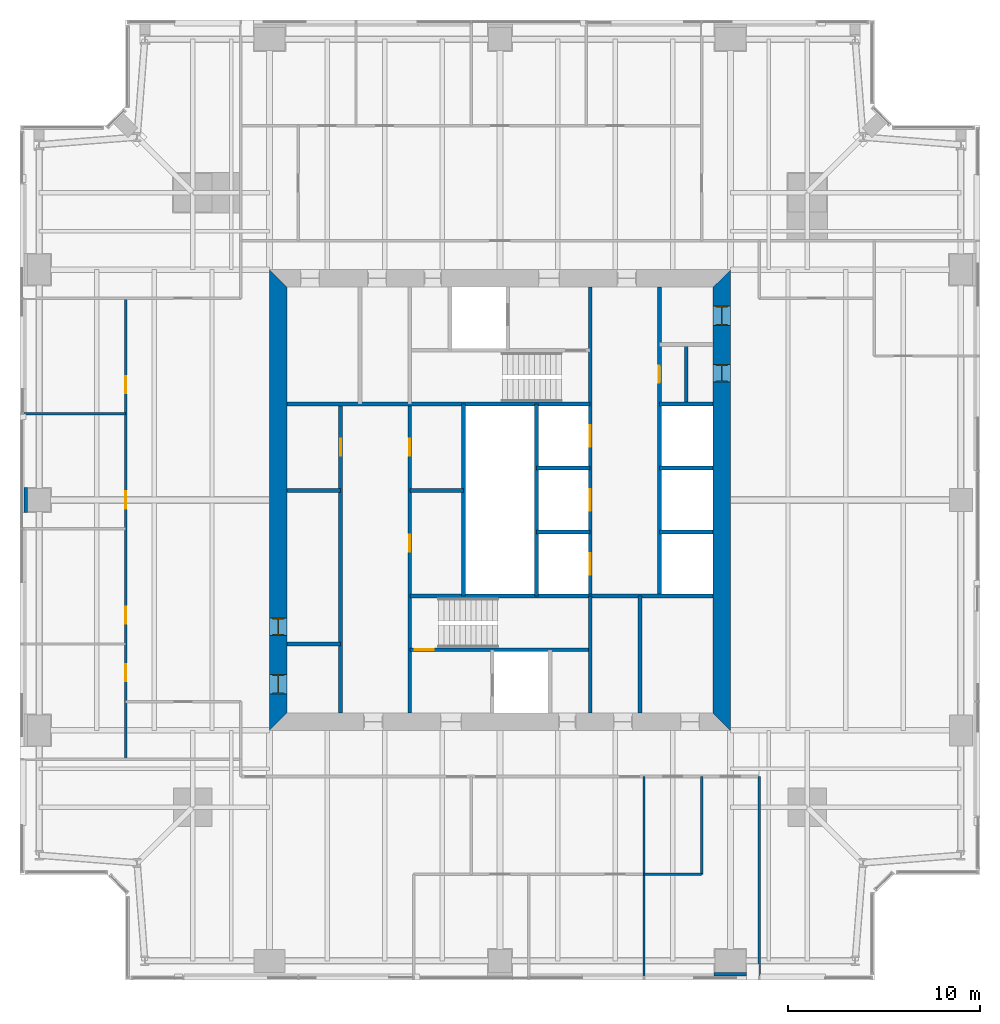
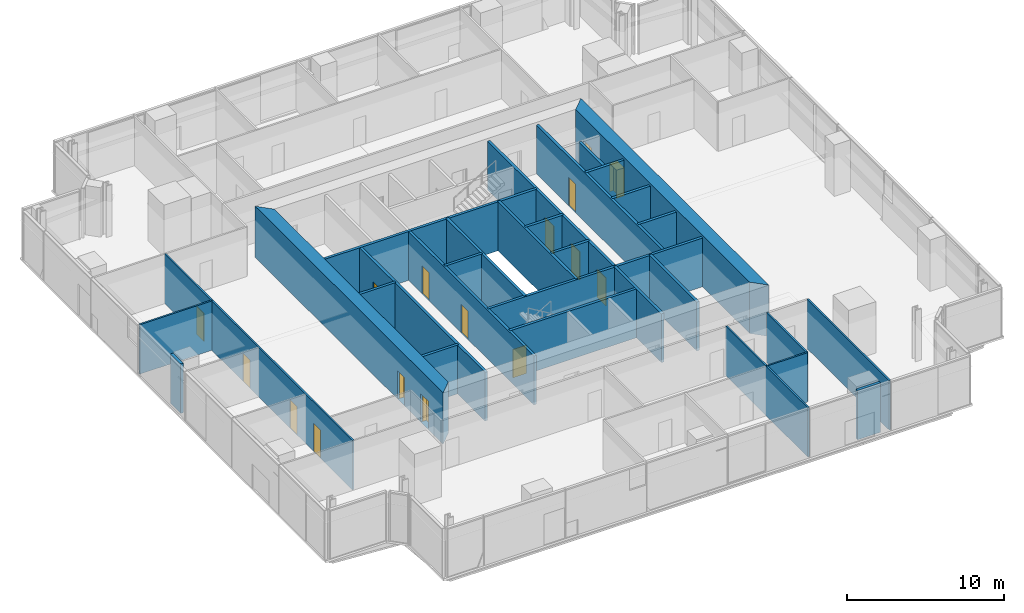
# One storey, part 10 of 14: 30 walls, 16 doors, 16 openings.
"""IFC4 building model written with IfcOpenShell, lengths in metres."""

from ifc_helpers import new_model, si_unit, direction, frame, frame_2d, origin, place, context, subcontext, project, spatial, polyline, rectangle, outline, extrude, material, layer, layer_set, type_object, element, fill, save


model = new_model("IFC4")

# Units and contexts
model_context = context("Model", 3, precision=1e-05, world=origin(), true_north=direction((0.0, 1.0)))
body_context = subcontext(model_context, "Body", "Model", "MODEL_VIEW")
ifc_project = project(units=[si_unit("LENGTHUNIT", "METRE"), si_unit("AREAUNIT", "SQUARE_METRE"), si_unit("VOLUMEUNIT", "CUBIC_METRE"), si_unit("PLANEANGLEUNIT", "RADIAN"), si_unit("MASSUNIT", "GRAM", prefix="KILO")], contexts=[model_context])

# Site, building, storey
site_placement = place(None, origin())
site = spatial("IfcSite", under=ifc_project, at=site_placement, CompositionType="ELEMENT")
building_placement = place(site_placement, origin())
building = spatial("IfcBuilding", under=site, at=building_placement, Name="Fenwick Lantern Interchange", CompositionType="ELEMENT")
storey_placement = place(building_placement, frame((0.0, 0.0, 193.800048828125)))
storey = spatial("IfcBuildingStorey", under=building, at=storey_placement, Name="L45", CompositionType="ELEMENT", Elevation=193.800048828125)

# Walls
ifc_material_1 = material(Name="Fire-rated gypsum board encasement on steel studs, 2 hour", Category="steel")
ifc_layer_1 = layer(ifc_material_1, 1.300048828125)
ifc_layer_set_1 = layer_set([ifc_layer_1], Name="COLUMN PIER 1300")
wall_type_1 = type_object("IfcWallType", Name="COLUMN PIER 1300", PredefinedType="PARTITIONING", material=ifc_layer_set_1)
wall_1_placement = place(storey_placement, frame((0.199951171875, 25.0, 0.0), z_axis=(0.0, 0.0, 1.0), x_axis=(1.0, 0.0, 0.0)))
element("IfcWall", 1, at=wall_1_placement, inside=storey, type_object=wall_type_1, Name="L45/W/PIER/CW3", PredefinedType="PARTITIONING", context=body_context, shape_type="SweptSolid", body=[
    extrude(rectangle(XDim=0.199951171875, YDim=1.300048828125, at=frame_2d((0.10009765625, 0.0))), origin(), (0.0, 0.0, 1.0), 3.849853515625),
])
ifc_layer_2 = layer(ifc_material_1, 1.699951171875)
ifc_layer_set_2 = layer_set([ifc_layer_2], Name="COLUMN PIER 1700")
wall_type_2 = type_object("IfcWallType", Name="COLUMN PIER 1700", PredefinedType="PARTITIONING", material=ifc_layer_set_2)
wall_2_placement = place(storey_placement, frame((37.0, 0.199951171875, 0.0), z_axis=(0.0, 0.0, 1.0), x_axis=(0.0, 1.0, 0.0)))
element("IfcWall", 2, at=wall_2_placement, inside=storey, type_object=wall_type_2, Name="L45/W/PIER/CS4", PredefinedType="PARTITIONING", context=body_context, shape_type="SweptSolid", body=[
    extrude(rectangle(XDim=0.199951171875, YDim=1.699951171875, at=frame_2d((0.10009765625, 0.0))), origin(), (0.0, 0.0, 1.0), 3.849853515625),
])

# Wall, opening, door
ifc_material_2 = material(Name="Concrete masonry ASTM C90 Grade N", Category="masonry")
ifc_layer_3 = layer(ifc_material_2, 0.199951171875)
ifc_layer_set_3 = layer_set([ifc_layer_3], Name="Concrete masonry ASTM C90 Grade N")
wall_type_3 = type_object("IfcWallType", Name="CORE PARTITION 200", PredefinedType="PARTITIONING", material=ifc_layer_set_3)
wall_3_placement = place(storey_placement, frame((16.699951171875, 13.89990234375, 0.0), z_axis=(0.0, 0.0, 1.0), x_axis=(0.0, 1.0, 0.0)))
wall_3 = element("IfcWall", 3, at=wall_3_placement, inside=storey, type_object=wall_type_3, Name="L45/W/CORES/a", PredefinedType="PARTITIONING", context=body_context, shape_type="SweptSolid", body=[
    extrude(rectangle(XDim=16.10009765625, YDim=0.199951171875, at=frame_2d((8.050048828125, 0.0))), origin(), (0.0, 0.0, 1.0), 3.800048828125),
])
opening_1_placement = place(wall_3_placement, frame((13.39990234375, 0.0, 0.0)))
opening_1 = element("IfcOpeningElement", 4, at=opening_1_placement, cuts=wall_3, Name="Opening L45-D009", PredefinedType="OPENING", context=body_context, shape_type="SweptSolid", body=[
    extrude(rectangle(XDim=0.89990234375, YDim=2.199951171875, at=frame_2d((0.449951171875, 1.10009765625))), frame((0.0, 0.10986328125, 0.0), z_axis=(0.0, -1.0, 0.0), x_axis=(1.0, 0.0, 0.0)), (0.0, 0.0, 1.0), 0.219970703125),
])
ifc_material_3 = material(Name="Steel door and frame", Category="steel")
door_type_1 = type_object("IfcDoorType", Name="SERVICE DOOR 900 X 2200", OperationType="SINGLE_SWING_LEFT", PredefinedType="DOOR", material=ifc_material_3)
door_1_placement = place(opening_1_placement, origin())
door_1 = element("IfcDoor", 5, at=door_1_placement, inside=storey, type_object=door_type_1, Name="Service door", OperationType="SINGLE_SWING_LEFT", OverallHeight=2.199951171875, OverallWidth=0.89990234375, PredefinedType="DOOR", context=body_context, shape_type="SweptSolid", body=[
    extrude(rectangle(XDim=0.89990234375, YDim=2.199951171875, at=frame_2d((0.449951171875, 1.10009765625))), frame((0.0, 0.02490234375, 0.0), z_axis=(0.0, -1.0, 0.0), x_axis=(1.0, 0.0, 0.0)), (0.0, 0.0, 1.0), 0.050048828125),
])
fill(opening_1, door_1)

# Walls
wall_4_placement = place(storey_placement, frame((23.10009765625, 20.0, 0.0), z_axis=(0.0, 0.0, 1.0), x_axis=(0.0, 1.0, 0.0)))
element("IfcWall", 6, at=wall_4_placement, inside=storey, type_object=wall_type_3, Name="L45/W/CORES/e3", PredefinedType="PARTITIONING", context=body_context, shape_type="SweptSolid", body=[
    extrude(rectangle(XDim=10.0, YDim=0.199951171875, at=frame_2d((5.0, 0.0))), origin(), (0.0, 0.0, 1.0), 3.800048828125),
])
wall_5_placement = place(storey_placement, frame((32.300048828125, 13.89990234375, 0.0), z_axis=(0.0, 0.0, 1.0), x_axis=(0.0, 1.0, 0.0)))
element("IfcWall", 7, at=wall_5_placement, inside=storey, type_object=wall_type_3, Name="L45/W/CORES/i2", PredefinedType="PARTITIONING", context=body_context, shape_type="SweptSolid", body=[
    extrude(rectangle(XDim=6.10009765625, YDim=0.199951171875, at=frame_2d((3.050048828125, 0.0))), origin(), (0.0, 0.0, 1.0), 3.800048828125),
])
for number, where, z_axis, x_axis, name in (
    (8, (13.89990234375, 17.5, 0.0), (0.0, 0.0, 1.0), (1.0, 0.0, 0.0), "L45/W/CORES/p1"),
    (9, (13.89990234375, 25.5, 0.0), (0.0, 0.0, 1.0), (1.0, 0.0, 0.0), "L45/W/CORES/p2"),
    (10, (20.300048828125, 25.5, 0.0), (0.0, 0.0, 1.0), (1.0, 0.0, 0.0), "L45/W/CORES/q1"),
):
    element("IfcWall", number, at=place(storey_placement, frame(where, z_axis=z_axis, x_axis=x_axis)), inside=storey, type_object=wall_type_3, Name=name, PredefinedType="PARTITIONING", context=body_context, shape_type="SweptSolid", body=[
        extrude(rectangle(XDim=2.800048828125, YDim=0.199951171875, at=frame_2d((1.39990234375, 0.0))), origin(), (0.0, 0.0, 1.0), 3.800048828125),
    ])

# Wall, opening, door
wall_6_placement = place(storey_placement, frame((33.300048828125, 36.10009765625, 0.0), z_axis=(0.0, 0.0, 1.0), x_axis=(0.0, -1.0, 0.0)))
wall_6 = element("IfcWall", 11, at=wall_6_placement, inside=storey, type_object=wall_type_3, Name="L45/W/COREN/a", PredefinedType="PARTITIONING", context=body_context, shape_type="SweptSolid", body=[
    extrude(rectangle(XDim=16.10009765625, YDim=0.199951171875, at=frame_2d((8.050048828125, 0.0))), origin(), (0.0, 0.0, 1.0), 3.800048828125),
])
opening_2_placement = place(wall_6_placement, frame((4.10009765625, 0.0, 0.0)))
opening_2 = element("IfcOpeningElement", 12, at=opening_2_placement, cuts=wall_6, Name="Opening L45-D019", PredefinedType="OPENING", context=body_context, shape_type="SweptSolid", body=[
    extrude(rectangle(XDim=0.89990234375, YDim=2.199951171875, at=frame_2d((0.449951171875, 1.10009765625))), frame((0.0, 0.10986328125, 0.0), z_axis=(0.0, -1.0, 0.0), x_axis=(1.0, 0.0, 0.0)), (0.0, 0.0, 1.0), 0.219970703125),
])
door_2_placement = place(opening_2_placement, origin())
door_2 = element("IfcDoor", 13, at=door_2_placement, inside=storey, type_object=door_type_1, Name="Service door", OperationType="SINGLE_SWING_LEFT", OverallHeight=2.199951171875, OverallWidth=0.89990234375, PredefinedType="DOOR", context=body_context, shape_type="SweptSolid", body=[
    extrude(rectangle(XDim=0.89990234375, YDim=2.199951171875, at=frame_2d((0.449951171875, 1.10009765625))), frame((0.0, 0.02490234375, 0.0), z_axis=(0.0, -1.0, 0.0), x_axis=(1.0, 0.0, 0.0)), (0.0, 0.0, 1.0), 0.050048828125),
])
fill(opening_2, door_2)

# Walls
for number, where, z_axis, x_axis, name in (
    (14, (36.10009765625, 30.0, 0.0), (0.0, 0.0, 1.0), (-1.0, 0.0, 0.0), "L45/W/COREN/c2"),
    (15, (36.10009765625, 26.666748046875, 0.0), (0.0, 0.0, 1.0), (-1.0, 0.0, 0.0), "L45/W/COREN/d1"),
    (16, (36.10009765625, 23.333251953125, 0.0), (0.0, 0.0, 1.0), (-1.0, 0.0, 0.0), "L45/W/COREN/d2"),
    (17, (29.699951171875, 26.666748046875, 0.0), (0.0, 0.0, 1.0), (-1.0, 0.0, 0.0), "L45/W/COREN/e1"),
    (18, (29.699951171875, 23.333251953125, 0.0), (0.0, 0.0, 1.0), (-1.0, 0.0, 0.0), "L45/W/COREN/e2"),
):
    element("IfcWall", number, at=place(storey_placement, frame(where, z_axis=z_axis, x_axis=x_axis)), inside=storey, type_object=wall_type_3, Name=name, PredefinedType="PARTITIONING", context=body_context, shape_type="SweptSolid", body=[
        extrude(rectangle(XDim=2.800048828125, YDim=0.199951171875, at=frame_2d((1.39990234375, 0.0))), origin(), (0.0, 0.0, 1.0), 3.800048828125),
    ])
wall_7_placement = place(storey_placement, frame((26.89990234375, 30.0, 0.0), z_axis=(0.0, 0.0, 1.0), x_axis=(0.0, -1.0, 0.0)))
element("IfcWall", 19, at=wall_7_placement, inside=storey, type_object=wall_type_3, Name="L45/W/COREN/e3", PredefinedType="PARTITIONING", context=body_context, shape_type="SweptSolid", body=[
    extrude(rectangle(XDim=10.0, YDim=0.199951171875, at=frame_2d((5.0, 0.0))), origin(), (0.0, 0.0, 1.0), 3.800048828125),
])
wall_8_placement = place(storey_placement, frame((34.699951171875, 33.10009765625, 0.0), z_axis=(0.0, 0.0, 1.0), x_axis=(0.0, -1.0, 0.0)))
element("IfcWall", 20, at=wall_8_placement, inside=storey, type_object=wall_type_3, Name="L45/W/COREN/px", PredefinedType="PARTITIONING", context=body_context, shape_type="SweptSolid", body=[
    extrude(rectangle(XDim=3.10009765625, YDim=0.199951171875, at=frame_2d((1.550048828125, 0.0))), origin(), (0.0, 0.0, 1.0), 3.800048828125),
])

# Wall, openings, doors
ifc_material_4 = material(Name="Concrete f'c 70 MPa", Category="concrete")
ifc_layer_4 = layer(ifc_material_4, 0.89990234375)
ifc_layer_set_4 = layer_set([ifc_layer_4], Name="CORE WALL 900")
wall_type_4 = type_object("IfcWallType", Name="CORE WALL 900", PredefinedType="SHEAR", material=ifc_layer_set_4)
wall_9_placement = place(storey_placement, frame((36.550048828125, 13.89990234375, 0.0), z_axis=(0.0, 0.0, 1.0), x_axis=(0.0, 1.0, 0.0)))
wall_9 = element("IfcWall", 21, at=wall_9_placement, inside=storey, type_object=wall_type_4, Name="L45/CORE/E", PredefinedType="SHEAR", context=body_context, shape_type="SweptSolid", body=[
    extrude(outline(polyline([(-0.89990234375, -0.449951171875), (23.10009765625, -0.449951171875), (22.199951171875, 0.449951171875), (0.0, 0.449951171875), (-0.89990234375, -0.449951171875)])), origin(), (0.0, 0.0, 1.0), 4.0),
])
opening_3_placement = place(wall_9_placement, frame((20.199951171875, 0.0, 0.0)))
opening_3 = element("IfcOpeningElement", 22, at=opening_3_placement, cuts=wall_9, Name="Opening L45-D018", PredefinedType="OPENING", context=body_context, shape_type="SweptSolid", body=[
    extrude(rectangle(XDim=1.0, YDim=2.199951171875, at=frame_2d((0.5, 1.10009765625))), frame((0.0, 0.4599609375, 0.0), z_axis=(0.0, -1.0, 0.0), x_axis=(1.0, 0.0, 0.0)), (0.0, 0.0, 1.0), 0.919921875),
])
opening_4_placement = place(wall_9_placement, frame((17.25, 0.0, 0.0)))
opening_4 = element("IfcOpeningElement", 23, at=opening_4_placement, cuts=wall_9, Name="Opening L45-D020", PredefinedType="OPENING", context=body_context, shape_type="SweptSolid", body=[
    extrude(rectangle(XDim=0.89990234375, YDim=2.199951171875, at=frame_2d((0.449951171875, 1.10009765625))), frame((0.0, 0.4599609375, 0.0), z_axis=(0.0, -1.0, 0.0), x_axis=(1.0, 0.0, 0.0)), (0.0, 0.0, 1.0), 0.919921875),
])
door_3_placement = place(opening_4_placement, origin())
door_3 = element("IfcDoor", 24, at=door_3_placement, inside=storey, type_object=door_type_1, Name="Service door", OperationType="SINGLE_SWING_RIGHT", OverallHeight=2.199951171875, OverallWidth=0.89990234375, PredefinedType="DOOR", context=body_context, shape_type="SweptSolid", body=[
    extrude(rectangle(XDim=0.89990234375, YDim=2.199951171875, at=frame_2d((0.449951171875, 1.10009765625))), frame((0.0, 0.02490234375, 0.0), z_axis=(0.0, -1.0, 0.0), x_axis=(1.0, 0.0, 0.0)), (0.0, 0.0, 1.0), 0.050048828125),
    extrude(outline(polyline([(0.0, 0.0), (0.0400390625, 0.0), (0.0400390625, 2.159912109375), (0.85986328125, 2.159912109375), (0.85986328125, 0.0), (0.89990234375, 0.0), (0.89990234375, 2.199951171875), (0.0, 2.199951171875), (0.0, 0.0)])), frame((0.0, 0.300048828125, 0.0), z_axis=(0.0, -1.0, 0.0), x_axis=(1.0, 0.0, 0.0)), (0.0, 0.0, 1.0), 0.60009765625),
])
fill(opening_4, door_3)
ifc_material_5 = material(Name="Hardwood door and steel frame", Category="steel")
door_type_2 = type_object("IfcDoorType", Name="WC DOOR 1000 X 2200", OperationType="SINGLE_SWING_LEFT", PredefinedType="DOOR", material=ifc_material_5)
door_4_placement = place(opening_3_placement, origin())
door_4 = element("IfcDoor", 25, at=door_4_placement, inside=storey, type_object=door_type_2, Name="Wc door", OperationType="SINGLE_SWING_LEFT", OverallHeight=2.199951171875, OverallWidth=1.0, PredefinedType="DOOR", context=body_context, shape_type="SweptSolid", body=[
    extrude(rectangle(XDim=1.0, YDim=2.199951171875, at=frame_2d((0.5, 1.10009765625))), frame((0.0, 0.02490234375, 0.0), z_axis=(0.0, -1.0, 0.0), x_axis=(1.0, 0.0, 0.0)), (0.0, 0.0, 1.0), 0.050048828125),
    extrude(outline(polyline([(0.0, 0.0), (0.0400390625, 0.0), (0.0400390625, 2.159912109375), (0.9599609375, 2.159912109375), (0.9599609375, 0.0), (1.0, 0.0), (1.0, 2.199951171875), (0.0, 2.199951171875), (0.0, 0.0)])), frame((0.0, 0.300048828125, 0.0), z_axis=(0.0, -1.0, 0.0), x_axis=(1.0, 0.0, 0.0)), (0.0, 0.0, 1.0), 0.60009765625),
])
fill(opening_3, door_4)

wall_10_placement = place(storey_placement, frame((13.449951171875, 36.10009765625, 0.0), z_axis=(0.0, 0.0, 1.0), x_axis=(0.0, -1.0, 0.0)))
wall_10 = element("IfcWall", 26, at=wall_10_placement, inside=storey, type_object=wall_type_4, Name="L45/CORE/W", PredefinedType="SHEAR", context=body_context, shape_type="SweptSolid", body=[
    extrude(outline(polyline([(-0.89990234375, -0.449951171875), (23.10009765625, -0.449951171875), (22.199951171875, 0.449951171875), (0.0, 0.449951171875), (-0.89990234375, -0.449951171875)])), origin(), (0.0, 0.0, 1.0), 4.0),
])
opening_5_placement = place(wall_10_placement, frame((20.199951171875, 0.0, 0.0)))
opening_5 = element("IfcOpeningElement", 27, at=opening_5_placement, cuts=wall_10, Name="Opening L45-D007", PredefinedType="OPENING", context=body_context, shape_type="SweptSolid", body=[
    extrude(rectangle(XDim=1.0, YDim=2.199951171875, at=frame_2d((0.5, 1.10009765625))), frame((0.0, 0.4599609375, 0.0), z_axis=(0.0, -1.0, 0.0), x_axis=(1.0, 0.0, 0.0)), (0.0, 0.0, 1.0), 0.919921875),
])
opening_6_placement = place(wall_10_placement, frame((17.25, 0.0, 0.0)))
opening_6 = element("IfcOpeningElement", 28, at=opening_6_placement, cuts=wall_10, Name="Opening L45-D008", PredefinedType="OPENING", context=body_context, shape_type="SweptSolid", body=[
    extrude(rectangle(XDim=0.89990234375, YDim=2.199951171875, at=frame_2d((0.449951171875, 1.10009765625))), frame((0.0, 0.4599609375, 0.0), z_axis=(0.0, -1.0, 0.0), x_axis=(1.0, 0.0, 0.0)), (0.0, 0.0, 1.0), 0.919921875),
])
door_5_placement = place(opening_6_placement, origin())
door_5 = element("IfcDoor", 29, at=door_5_placement, inside=storey, type_object=door_type_1, Name="Service door", OperationType="SINGLE_SWING_RIGHT", OverallHeight=2.199951171875, OverallWidth=0.89990234375, PredefinedType="DOOR", context=body_context, shape_type="SweptSolid", body=[
    extrude(rectangle(XDim=0.89990234375, YDim=2.199951171875, at=frame_2d((0.449951171875, 1.10009765625))), frame((0.0, 0.02490234375, 0.0), z_axis=(0.0, -1.0, 0.0), x_axis=(1.0, 0.0, 0.0)), (0.0, 0.0, 1.0), 0.050048828125),
    extrude(outline(polyline([(0.0, 0.0), (0.0400390625, 0.0), (0.0400390625, 2.159912109375), (0.85986328125, 2.159912109375), (0.85986328125, 0.0), (0.89990234375, 0.0), (0.89990234375, 2.199951171875), (0.0, 2.199951171875), (0.0, 0.0)])), frame((0.0, 0.300048828125, 0.0), z_axis=(0.0, -1.0, 0.0), x_axis=(1.0, 0.0, 0.0)), (0.0, 0.0, 1.0), 0.60009765625),
])
fill(opening_6, door_5)
door_6_placement = place(opening_5_placement, origin())
door_6 = element("IfcDoor", 30, at=door_6_placement, inside=storey, type_object=door_type_2, Name="Wc door", OperationType="SINGLE_SWING_RIGHT", OverallHeight=2.199951171875, OverallWidth=1.0, PredefinedType="DOOR", context=body_context, shape_type="SweptSolid", body=[
    extrude(rectangle(XDim=1.0, YDim=2.199951171875, at=frame_2d((0.5, 1.10009765625))), frame((0.0, 0.02490234375, 0.0), z_axis=(0.0, -1.0, 0.0), x_axis=(1.0, 0.0, 0.0)), (0.0, 0.0, 1.0), 0.050048828125),
    extrude(outline(polyline([(0.0, 0.0), (0.0400390625, 0.0), (0.0400390625, 2.159912109375), (0.9599609375, 2.159912109375), (0.9599609375, 0.0), (1.0, 0.0), (1.0, 2.199951171875), (0.0, 2.199951171875), (0.0, 0.0)])), frame((0.0, 0.300048828125, 0.0), z_axis=(0.0, -1.0, 0.0), x_axis=(1.0, 0.0, 0.0)), (0.0, 0.0, 1.0), 0.60009765625),
])
fill(opening_5, door_6)

# Walls
ifc_material_6 = material(Name="Gypsum board on steel studs, acoustic", Category="steel")
ifc_layer_5 = layer(ifc_material_6, 0.125)
ifc_layer_set_5 = layer_set([ifc_layer_5], Name="OFFICE PARTITION 125")
wall_type_5 = type_object("IfcWallType", Name="OFFICE PARTITION 125", PredefinedType="PARTITIONING", material=ifc_layer_set_5)
wall_11_placement = place(storey_placement, frame((32.5, 0.14990234375, 0.0), z_axis=(0.0, 0.0, 1.0), x_axis=(0.0, 1.0, 0.0)))
element("IfcWall", 31, at=wall_11_placement, inside=storey, type_object=wall_type_5, Name="L45/W/OFF/S/X325-1", PredefinedType="PARTITIONING", context=body_context, shape_type="SweptSolid", body=[
    extrude(rectangle(XDim=10.4501953125, YDim=0.125, at=frame_2d((5.22509765625, 0.0))), origin(), (0.0, 0.0, 1.0), 3.849853515625),
])
wall_12_placement = place(storey_placement, frame((35.5, 5.5, 0.0), z_axis=(0.0, 0.0, 1.0), x_axis=(0.0, 1.0, 0.0)))
element("IfcWall", 32, at=wall_12_placement, inside=storey, type_object=wall_type_5, Name="L45/W/OFF/S/X355-1", PredefinedType="PARTITIONING", context=body_context, shape_type="SweptSolid", body=[
    extrude(rectangle(XDim=5.10009765625, YDim=0.125, at=frame_2d((2.550048828125, 0.0))), origin(), (0.0, 0.0, 1.0), 3.849853515625),
])
wall_13_placement = place(storey_placement, frame((32.5, 5.5, 0.0), z_axis=(0.0, 0.0, 1.0), x_axis=(1.0, 0.0, 0.0)))
element("IfcWall", 33, at=wall_13_placement, inside=storey, type_object=wall_type_5, Name="L45/W/OFF/S/Y55-2", PredefinedType="PARTITIONING", context=body_context, shape_type="SweptSolid", body=[
    extrude(rectangle(XDim=3.0, YDim=0.125, at=frame_2d((1.5, 0.0))), origin(), (0.0, 0.0, 1.0), 3.849853515625),
])
wall_14_placement = place(storey_placement, frame((38.5, 0.14990234375, 0.0), z_axis=(0.0, 0.0, 1.0), x_axis=(0.0, 1.0, 0.0)))
element("IfcWall", 34, at=wall_14_placement, inside=storey, type_object=wall_type_5, Name="L45/W/OFF/E/BACK", PredefinedType="PARTITIONING", context=body_context, shape_type="SweptSolid", body=[
    extrude(rectangle(XDim=10.4501953125, YDim=0.125, at=frame_2d((5.22509765625, 0.0))), origin(), (0.0, 0.0, 1.0), 3.849853515625),
])
wall_15_placement = place(storey_placement, frame((0.14990234375, 29.5, 0.0), z_axis=(0.0, 0.0, 1.0), x_axis=(1.0, 0.0, 0.0)))
element("IfcWall", 35, at=wall_15_placement, inside=storey, type_object=wall_type_5, Name="L45/W/OFF/W/X205-1", PredefinedType="PARTITIONING", context=body_context, shape_type="SweptSolid", body=[
    extrude(rectangle(XDim=5.35009765625, YDim=0.125, at=frame_2d((2.675048828125, 0.0))), origin(), (0.0, 0.0, 1.0), 3.849853515625),
])

# Wall, openings, doors
wall_16_placement = place(storey_placement, frame((5.5, 35.5, 0.0), z_axis=(0.0, 0.0, 1.0), x_axis=(0.0, -1.0, 0.0)))
wall_16 = element("IfcWall", 36, at=wall_16_placement, inside=storey, type_object=wall_type_5, Name="L45/W/OFF/W/Y55-1", PredefinedType="PARTITIONING", context=body_context, shape_type="SweptSolid", body=[
    extrude(rectangle(XDim=24.0, YDim=0.125, at=frame_2d((12.0, 0.0))), origin(), (0.0, 0.0, 1.0), 3.849853515625),
])
opening_7_placement = place(wall_16_placement, frame((4.050048828125, 0.0, 0.0)))
opening_7 = element("IfcOpeningElement", 37, at=opening_7_placement, cuts=wall_16, Name="Opening L45-D039", PredefinedType="OPENING", context=body_context, shape_type="SweptSolid", body=[
    extrude(rectangle(XDim=0.89990234375, YDim=2.199951171875, at=frame_2d((0.449951171875, 1.10009765625))), frame((0.0, 0.072509765625, 0.0), z_axis=(0.0, -1.0, 0.0), x_axis=(1.0, 0.0, 0.0)), (0.0, 0.0, 1.0), 0.14501953125),
])
opening_8_placement = place(wall_16_placement, frame((10.050048828125, 0.0, 0.0)))
opening_8 = element("IfcOpeningElement", 38, at=opening_8_placement, cuts=wall_16, Name="Opening L45-D040", PredefinedType="OPENING", context=body_context, shape_type="SweptSolid", body=[
    extrude(rectangle(XDim=0.89990234375, YDim=2.199951171875, at=frame_2d((0.449951171875, 1.10009765625))), frame((0.0, 0.072509765625, 0.0), z_axis=(0.0, -1.0, 0.0), x_axis=(1.0, 0.0, 0.0)), (0.0, 0.0, 1.0), 0.14501953125),
])
opening_9_placement = place(wall_16_placement, frame((16.050048828125, 0.0, 0.0)))
opening_9 = element("IfcOpeningElement", 39, at=opening_9_placement, cuts=wall_16, Name="Opening L45-D041", PredefinedType="OPENING", context=body_context, shape_type="SweptSolid", body=[
    extrude(rectangle(XDim=0.89990234375, YDim=2.199951171875, at=frame_2d((0.449951171875, 1.10009765625))), frame((0.0, 0.072509765625, 0.0), z_axis=(0.0, -1.0, 0.0), x_axis=(1.0, 0.0, 0.0)), (0.0, 0.0, 1.0), 0.14501953125),
])
opening_10_placement = place(wall_16_placement, frame((19.050048828125, 0.0, 0.0)))
opening_10 = element("IfcOpeningElement", 40, at=opening_10_placement, cuts=wall_16, Name="Opening L45-D042", PredefinedType="OPENING", context=body_context, shape_type="SweptSolid", body=[
    extrude(rectangle(XDim=0.89990234375, YDim=2.199951171875, at=frame_2d((0.449951171875, 1.10009765625))), frame((0.0, 0.072509765625, 0.0), z_axis=(0.0, -1.0, 0.0), x_axis=(1.0, 0.0, 0.0)), (0.0, 0.0, 1.0), 0.14501953125),
])
door_type_3 = type_object("IfcDoorType", Name="OFFICE DOOR 900 X 2200", OperationType="SINGLE_SWING_LEFT", PredefinedType="DOOR", material=ifc_material_5)
door_7_placement = place(opening_7_placement, frame((0.89990234375, 0.0, 0.0), z_axis=(0.0, 0.0, 1.0), x_axis=(-1.0, 0.0, 0.0)))
door_7 = element("IfcDoor", 41, at=door_7_placement, inside=storey, type_object=door_type_3, Name="Office door", OperationType="SINGLE_SWING_LEFT", OverallHeight=2.199951171875, OverallWidth=0.89990234375, PredefinedType="DOOR", context=body_context, shape_type="SweptSolid", body=[
    extrude(rectangle(XDim=0.89990234375, YDim=2.199951171875, at=frame_2d((0.449951171875, 1.10009765625))), frame((0.0, 0.02490234375, 0.0), z_axis=(0.0, -1.0, 0.0), x_axis=(1.0, 0.0, 0.0)), (0.0, 0.0, 1.0), 0.050048828125),
])
fill(opening_7, door_7)
door_8_placement = place(opening_8_placement, frame((0.89990234375, 0.0, 0.0), z_axis=(0.0, 0.0, 1.0), x_axis=(-1.0, 0.0, 0.0)))
door_8 = element("IfcDoor", 42, at=door_8_placement, inside=storey, type_object=door_type_3, Name="Office door", OperationType="SINGLE_SWING_LEFT", OverallHeight=2.199951171875, OverallWidth=0.89990234375, PredefinedType="DOOR", context=body_context, shape_type="SweptSolid", body=[
    extrude(rectangle(XDim=0.89990234375, YDim=2.199951171875, at=frame_2d((0.449951171875, 1.10009765625))), frame((0.0, 0.02490234375, 0.0), z_axis=(0.0, -1.0, 0.0), x_axis=(1.0, 0.0, 0.0)), (0.0, 0.0, 1.0), 0.050048828125),
])
fill(opening_8, door_8)
door_9_placement = place(opening_9_placement, frame((0.89990234375, 0.0, 0.0), z_axis=(0.0, 0.0, 1.0), x_axis=(-1.0, 0.0, 0.0)))
door_9 = element("IfcDoor", 43, at=door_9_placement, inside=storey, type_object=door_type_3, Name="Office door", OperationType="SINGLE_SWING_LEFT", OverallHeight=2.199951171875, OverallWidth=0.89990234375, PredefinedType="DOOR", context=body_context, shape_type="SweptSolid", body=[
    extrude(rectangle(XDim=0.89990234375, YDim=2.199951171875, at=frame_2d((0.449951171875, 1.10009765625))), frame((0.0, 0.02490234375, 0.0), z_axis=(0.0, -1.0, 0.0), x_axis=(1.0, 0.0, 0.0)), (0.0, 0.0, 1.0), 0.050048828125),
])
fill(opening_9, door_9)
door_10_placement = place(opening_10_placement, frame((0.89990234375, 0.0, 0.0), z_axis=(0.0, 0.0, 1.0), x_axis=(-1.0, 0.0, 0.0)))
door_10 = element("IfcDoor", 44, at=door_10_placement, inside=storey, type_object=door_type_3, Name="Office door", OperationType="SINGLE_SWING_RIGHT", OverallHeight=2.199951171875, OverallWidth=0.89990234375, PredefinedType="DOOR", context=body_context, shape_type="SweptSolid", body=[
    extrude(rectangle(XDim=0.89990234375, YDim=2.199951171875, at=frame_2d((0.449951171875, 1.10009765625))), frame((0.0, 0.02490234375, 0.0), z_axis=(0.0, -1.0, 0.0), x_axis=(1.0, 0.0, 0.0)), (0.0, 0.0, 1.0), 0.050048828125),
])
fill(opening_10, door_10)

ifc_material_7 = material(Name="Concrete f'c 45 MPa", Category="concrete")
ifc_layer_6 = layer(ifc_material_7, 0.199951171875)
ifc_layer_set_6 = layer_set([ifc_layer_6], Name="STAIR CORE WALL 200")
wall_type_6 = type_object("IfcWallType", Name="STAIR CORE WALL 200", PredefinedType="SOLIDWALL", material=ifc_layer_set_6)
wall_17_placement = place(storey_placement, frame((20.300048828125, 13.89990234375, 0.0), z_axis=(0.0, 0.0, 1.0), x_axis=(0.0, 1.0, 0.0)))
wall_17 = element("IfcWall", 45, at=wall_17_placement, inside=storey, type_object=wall_type_6, Name="L45/W/CORES/b", PredefinedType="SOLIDWALL", context=body_context, shape_type="SweptSolid", body=[
    extrude(rectangle(XDim=16.10009765625, YDim=0.199951171875, at=frame_2d((8.050048828125, 0.0))), origin(), (0.0, 0.0, 1.0), 3.800048828125),
])
opening_11_placement = place(wall_17_placement, frame((8.39990234375, 0.0, 0.0)))
opening_11 = element("IfcOpeningElement", 46, at=opening_11_placement, cuts=wall_17, Name="Opening L45-D010", PredefinedType="OPENING", context=body_context, shape_type="SweptSolid", body=[
    extrude(rectangle(XDim=0.89990234375, YDim=2.199951171875, at=frame_2d((0.449951171875, 1.10009765625))), frame((0.0, 0.10986328125, 0.0), z_axis=(0.0, -1.0, 0.0), x_axis=(1.0, 0.0, 0.0)), (0.0, 0.0, 1.0), 0.219970703125),
])
opening_12_placement = place(wall_17_placement, frame((13.39990234375, 0.0, 0.0)))
opening_12 = element("IfcOpeningElement", 47, at=opening_12_placement, cuts=wall_17, Name="Opening L45-D011", PredefinedType="OPENING", context=body_context, shape_type="SweptSolid", body=[
    extrude(rectangle(XDim=0.89990234375, YDim=2.199951171875, at=frame_2d((0.449951171875, 1.10009765625))), frame((0.0, 0.10986328125, 0.0), z_axis=(0.0, -1.0, 0.0), x_axis=(1.0, 0.0, 0.0)), (0.0, 0.0, 1.0), 0.219970703125),
])
door_11_placement = place(opening_11_placement, frame((0.89990234375, 0.0, 0.0), z_axis=(0.0, 0.0, 1.0), x_axis=(-1.0, 0.0, 0.0)))
door_11 = element("IfcDoor", 48, at=door_11_placement, inside=storey, type_object=door_type_1, Name="Service door", OperationType="SINGLE_SWING_RIGHT", OverallHeight=2.199951171875, OverallWidth=0.89990234375, PredefinedType="DOOR", context=body_context, shape_type="SweptSolid", body=[
    extrude(rectangle(XDim=0.89990234375, YDim=2.199951171875, at=frame_2d((0.449951171875, 1.10009765625))), frame((0.0, 0.02490234375, 0.0), z_axis=(0.0, -1.0, 0.0), x_axis=(1.0, 0.0, 0.0)), (0.0, 0.0, 1.0), 0.050048828125),
])
fill(opening_11, door_11)
door_12_placement = place(opening_12_placement, frame((0.89990234375, 0.0, 0.0), z_axis=(0.0, 0.0, 1.0), x_axis=(-1.0, 0.0, 0.0)))
door_12 = element("IfcDoor", 49, at=door_12_placement, inside=storey, type_object=door_type_1, Name="Service door", OperationType="SINGLE_SWING_RIGHT", OverallHeight=2.199951171875, OverallWidth=0.89990234375, PredefinedType="DOOR", context=body_context, shape_type="SweptSolid", body=[
    extrude(rectangle(XDim=0.89990234375, YDim=2.199951171875, at=frame_2d((0.449951171875, 1.10009765625))), frame((0.0, 0.02490234375, 0.0), z_axis=(0.0, -1.0, 0.0), x_axis=(1.0, 0.0, 0.0)), (0.0, 0.0, 1.0), 0.050048828125),
])
fill(opening_12, door_12)

# Wall, opening, door
wall_18_placement = place(storey_placement, frame((20.300048828125, 17.199951171875, 0.0), z_axis=(0.0, 0.0, 1.0), x_axis=(1.0, 0.0, 0.0)))
wall_18 = element("IfcWall", 50, at=wall_18_placement, inside=storey, type_object=wall_type_6, Name="L45/W/CORES/g1", PredefinedType="SOLIDWALL", context=body_context, shape_type="SweptSolid", body=[
    extrude(rectangle(XDim=9.39990234375, YDim=0.199951171875, at=frame_2d((4.699951171875, 0.0))), origin(), (0.0, 0.0, 1.0), 3.800048828125),
])
opening_13_placement = place(wall_18_placement, frame((0.25, 0.0, 0.0)))
opening_13 = element("IfcOpeningElement", 51, at=opening_13_placement, cuts=wall_18, Name="Opening L45-D003", PredefinedType="OPENING", context=body_context, shape_type="SweptSolid", body=[
    extrude(rectangle(XDim=1.0, YDim=2.199951171875, at=frame_2d((0.5, 1.10009765625))), frame((0.0, 0.10986328125, 0.0), z_axis=(0.0, -1.0, 0.0), x_axis=(1.0, 0.0, 0.0)), (0.0, 0.0, 1.0), 0.219970703125),
])
door_type_4 = type_object("IfcDoorType", Name="STAIR DOOR 1000 X 2200", OperationType="SINGLE_SWING_LEFT", PredefinedType="DOOR", material=ifc_material_3)
door_13_placement = place(opening_13_placement, origin())
door_13 = element("IfcDoor", 52, at=door_13_placement, inside=storey, type_object=door_type_4, Name="Stair door", OperationType="SINGLE_SWING_LEFT", OverallHeight=2.199951171875, OverallWidth=1.0, PredefinedType="DOOR", context=body_context, shape_type="SweptSolid", body=[
    extrude(rectangle(XDim=1.0, YDim=2.199951171875, at=frame_2d((0.5, 1.10009765625))), frame((0.0, 0.02490234375, 0.0), z_axis=(0.0, -1.0, 0.0), x_axis=(1.0, 0.0, 0.0)), (0.0, 0.0, 1.0), 0.050048828125),
])
fill(opening_13, door_13)

# Walls
wall_19_placement = place(storey_placement, frame((20.300048828125, 20.0, 0.0), z_axis=(0.0, 0.0, 1.0), x_axis=(1.0, 0.0, 0.0)))
element("IfcWall", 53, at=wall_19_placement, inside=storey, type_object=wall_type_6, Name="L45/W/CORES/g2", PredefinedType="SOLIDWALL", context=body_context, shape_type="SweptSolid", body=[
    extrude(rectangle(XDim=15.800048828125, YDim=0.199951171875, at=frame_2d((7.89990234375, 0.0))), origin(), (0.0, 0.0, 1.0), 3.800048828125),
])
wall_20_placement = place(storey_placement, frame((29.699951171875, 13.89990234375, 0.0), z_axis=(0.0, 0.0, 1.0), x_axis=(0.0, 1.0, 0.0)))
element("IfcWall", 54, at=wall_20_placement, inside=storey, type_object=wall_type_6, Name="L45/W/CORES/i1", PredefinedType="SOLIDWALL", context=body_context, shape_type="SweptSolid", body=[
    extrude(rectangle(XDim=6.10009765625, YDim=0.199951171875, at=frame_2d((3.050048828125, 0.0))), origin(), (0.0, 0.0, 1.0), 3.800048828125),
])

# Wall, openings, doors
wall_21_placement = place(storey_placement, frame((29.699951171875, 36.10009765625, 0.0), z_axis=(0.0, 0.0, 1.0), x_axis=(0.0, -1.0, 0.0)))
wall_21 = element("IfcWall", 55, at=wall_21_placement, inside=storey, type_object=wall_type_6, Name="L45/W/COREN/b", PredefinedType="SOLIDWALL", context=body_context, shape_type="SweptSolid", body=[
    extrude(rectangle(XDim=16.10009765625, YDim=0.199951171875, at=frame_2d((8.050048828125, 0.0))), origin(), (0.0, 0.0, 1.0), 3.800048828125),
])
opening_14_placement = place(wall_21_placement, frame((7.216552734375, 0.0, 0.0)))
opening_14 = element("IfcOpeningElement", 56, at=opening_14_placement, cuts=wall_21, Name="Opening LD-E2-1", PredefinedType="OPENING", context=body_context, shape_type="SweptSolid", body=[
    extrude(rectangle(XDim=1.10009765625, YDim=2.199951171875, at=frame_2d((0.550048828125, 1.10009765625))), frame((0.0, 0.10986328125, 0.0), z_axis=(0.0, -1.0, 0.0), x_axis=(1.0, 0.0, 0.0)), (0.0, 0.0, 1.0), 0.219970703125),
])
opening_15_placement = place(wall_21_placement, frame((10.550048828125, 0.0, 0.0)))
opening_15 = element("IfcOpeningElement", 57, at=opening_15_placement, cuts=wall_21, Name="Opening LD-E2-2", PredefinedType="OPENING", context=body_context, shape_type="SweptSolid", body=[
    extrude(rectangle(XDim=1.10009765625, YDim=2.199951171875, at=frame_2d((0.550048828125, 1.10009765625))), frame((0.0, 0.10986328125, 0.0), z_axis=(0.0, -1.0, 0.0), x_axis=(1.0, 0.0, 0.0)), (0.0, 0.0, 1.0), 0.219970703125),
])
opening_16_placement = place(wall_21_placement, frame((13.88330078125, 0.0, 0.0)))
opening_16 = element("IfcOpeningElement", 58, at=opening_16_placement, cuts=wall_21, Name="Opening LD-E2-3", PredefinedType="OPENING", context=body_context, shape_type="SweptSolid", body=[
    extrude(rectangle(XDim=1.10009765625, YDim=2.199951171875, at=frame_2d((0.550048828125, 1.10009765625))), frame((0.0, 0.10986328125, 0.0), z_axis=(0.0, -1.0, 0.0), x_axis=(1.0, 0.0, 0.0)), (0.0, 0.0, 1.0), 0.219970703125),
])
door_type_5 = type_object("IfcDoorType", Name="LIFT LANDING DOOR 1100 X 2200", OperationType="DOUBLE_DOOR_SLIDING", PredefinedType="DOOR", material=ifc_material_3)
door_14_placement = place(opening_14_placement, origin())
door_14 = element("IfcDoor", 59, at=door_14_placement, inside=storey, type_object=door_type_5, Name="Lift landing door E2-1", OperationType="DOUBLE_DOOR_SLIDING", OverallHeight=2.199951171875, OverallWidth=1.10009765625, PredefinedType="DOOR", context=body_context, shape_type="SweptSolid", body=[
    extrude(rectangle(XDim=1.10009765625, YDim=2.199951171875, at=frame_2d((0.550048828125, 1.10009765625))), frame((0.0, 0.02490234375, 0.0), z_axis=(0.0, -1.0, 0.0), x_axis=(1.0, 0.0, 0.0)), (0.0, 0.0, 1.0), 0.050048828125),
])
fill(opening_14, door_14)
door_15_placement = place(opening_15_placement, origin())
door_15 = element("IfcDoor", 60, at=door_15_placement, inside=storey, type_object=door_type_5, Name="Lift landing door E2-2", OperationType="DOUBLE_DOOR_SLIDING", OverallHeight=2.199951171875, OverallWidth=1.10009765625, PredefinedType="DOOR", context=body_context, shape_type="SweptSolid", body=[
    extrude(rectangle(XDim=1.10009765625, YDim=2.199951171875, at=frame_2d((0.550048828125, 1.10009765625))), frame((0.0, 0.02490234375, 0.0), z_axis=(0.0, -1.0, 0.0), x_axis=(1.0, 0.0, 0.0)), (0.0, 0.0, 1.0), 0.050048828125),
])
fill(opening_15, door_15)
door_16_placement = place(opening_16_placement, origin())
door_16 = element("IfcDoor", 61, at=door_16_placement, inside=storey, type_object=door_type_5, Name="Lift landing door E2-3", OperationType="DOUBLE_DOOR_SLIDING", OverallHeight=2.199951171875, OverallWidth=1.10009765625, PredefinedType="DOOR", context=body_context, shape_type="SweptSolid", body=[
    extrude(rectangle(XDim=1.10009765625, YDim=2.199951171875, at=frame_2d((0.550048828125, 1.10009765625))), frame((0.0, 0.02490234375, 0.0), z_axis=(0.0, -1.0, 0.0), x_axis=(1.0, 0.0, 0.0)), (0.0, 0.0, 1.0), 0.050048828125),
])
fill(opening_16, door_16)

# Wall
wall_22_placement = place(storey_placement, frame((29.699951171875, 30.0, 0.0), z_axis=(0.0, 0.0, 1.0), x_axis=(-1.0, 0.0, 0.0)))
element("IfcWall", 62, at=wall_22_placement, inside=storey, type_object=wall_type_6, Name="L45/W/COREN/g2", PredefinedType="SOLIDWALL", context=body_context, shape_type="SweptSolid", body=[
    extrude(rectangle(XDim=15.800048828125, YDim=0.199951171875, at=frame_2d((7.89990234375, 0.0))), origin(), (0.0, 0.0, 1.0), 3.800048828125),
])

save(model, "model.ifc")
